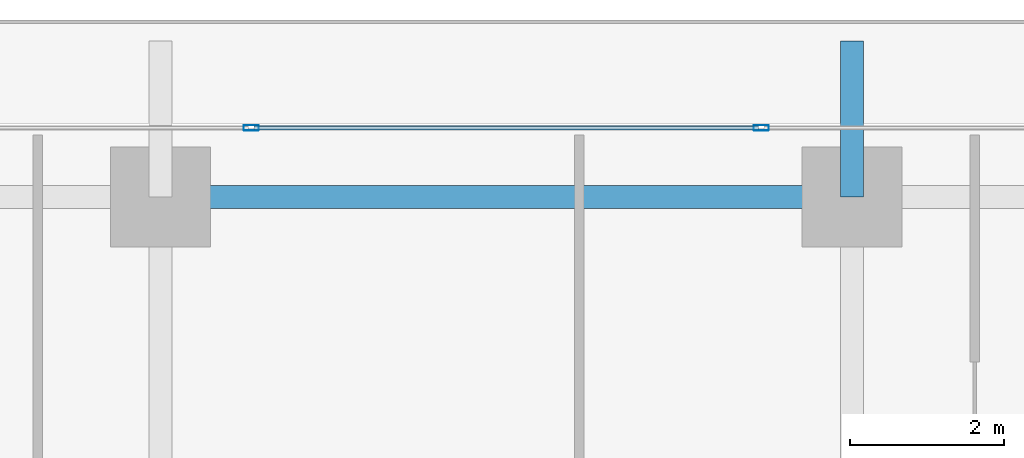
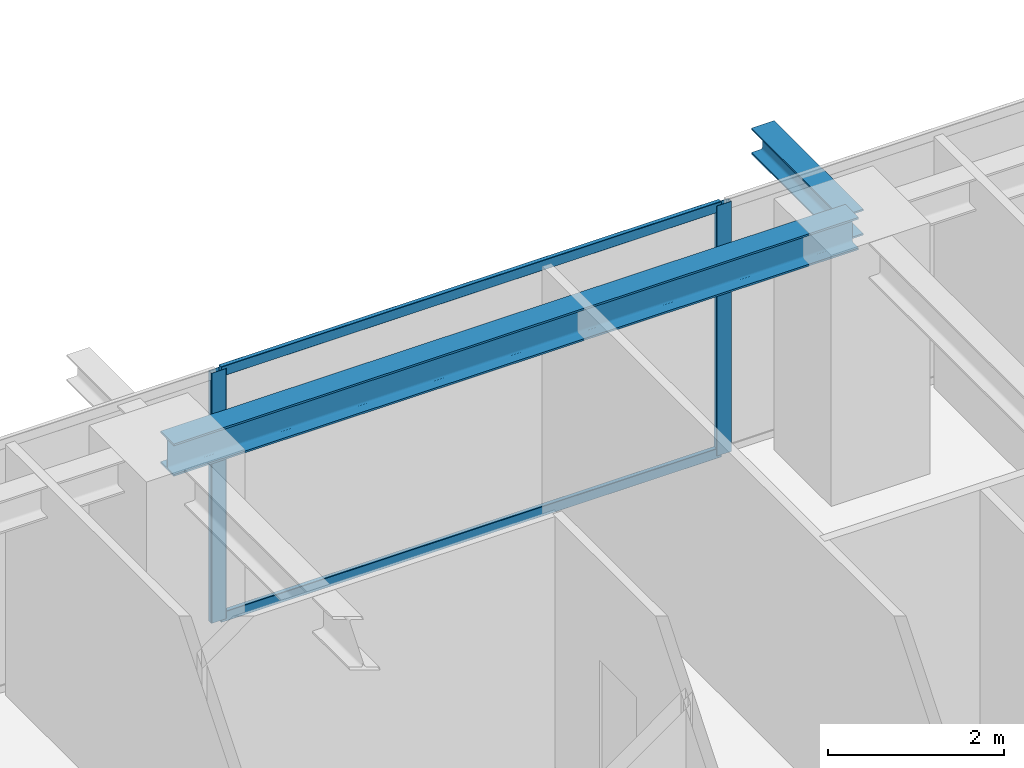
# One storey, part 19 of 34: 4 members, 2 beams, 1 element without a shape of its own.
"""IFC4 building model written with IfcOpenShell, lengths in metres."""

from ifc_helpers import new_model, si_unit, direction, frame, origin, origin_2d, place, context, subcontext, project, spatial, hollow_rectangle, i_section, extrude, source, transform, mapped, material, layer, layer_set, material_profile, profile_set, type_object, element, aggregate, save


model = new_model("IFC4")

# Units and contexts
model_context = context("Model", 3, precision=1e-05, world=origin(), true_north=direction((0.0, 1.0)))
body_context = subcontext(model_context, "Body", "Model", "MODEL_VIEW")
ifc_project = project(units=[si_unit("LENGTHUNIT", "METRE"), si_unit("AREAUNIT", "SQUARE_METRE"), si_unit("VOLUMEUNIT", "CUBIC_METRE"), si_unit("PLANEANGLEUNIT", "RADIAN"), si_unit("MASSUNIT", "GRAM", prefix="KILO")], contexts=[model_context])

# Site, building, storey
site_placement = place(None, origin())
site = spatial("IfcSite", under=ifc_project, at=site_placement, CompositionType="ELEMENT")
building_placement = place(site_placement, origin())
building = spatial("IfcBuilding", under=site, at=building_placement, Name="Serunith Strait Residences", CompositionType="ELEMENT")
storey_placement = place(building_placement, frame((0.0, 0.0, 142.64990234375)))
storey = spatial("IfcBuildingStorey", under=building, at=storey_placement, Name="L35", CompositionType="ELEMENT", Elevation=142.64990234375)

# Beams
ifc_material_1 = material(Name="Steel S355J2", Category="steel")
ifc_material_profile_1 = material_profile(ifc_material_1, i_section(OverallWidth=0.300048828125, OverallDepth=0.449951171875, WebThickness=0.013916015625, FlangeThickness=0.02587890625, FilletRadius=0.027099609375, at=origin_2d()), Name="HEB 450")
ifc_profile_set_1 = profile_set([ifc_material_profile_1], Name="Steel S355J2")
beam_type_1 = type_object("IfcBeamType", Name="BM-HEB450", PredefinedType="BEAM", material=ifc_profile_set_1)
shared_shape_1 = source(origin(), body_context, "Body", "SweptSolid", [
    extrude(i_section(OverallWidth=0.300048828125, OverallDepth=0.449951171875, WebThickness=0.013916015625, FlangeThickness=0.02587890625, FilletRadius=0.027099609375, at=origin_2d()), origin(), (0.0, 0.0, 1.0), 9.0),
])
beam_1_placement = place(storey_placement, frame((36.89990234375, 48.10009765625, 3.26220703125), z_axis=(-1.0, 0.0, 0.0), x_axis=(0.0, -1.0, 0.0)))
element("IfcBeam", 1, at=beam_1_placement, inside=storey, type_object=beam_type_1, Name="L35 Perimeter Ring Beam 10", PredefinedType="BEAM", context=body_context, shape_type="MappedRepresentation", body=[
    mapped(shared_shape_1, transform((0.0, 0.0, 0.0), scale=1.0)),
])
ifc_material_profile_2 = material_profile(ifc_material_1, i_section(OverallWidth=0.300048828125, OverallDepth=0.360107421875, WebThickness=0.012451171875, FlangeThickness=0.0224609375, FilletRadius=0.027099609375, at=origin_2d()), Name="HEB 360")
ifc_profile_set_2 = profile_set([ifc_material_profile_2], Name="Steel S355J2")
beam_type_2 = type_object("IfcBeamType", Name="BM-HEB360", PredefinedType="BEAM", material=ifc_profile_set_2)
shared_shape_2 = source(origin(), body_context, "Body", "SweptSolid", [
    extrude(i_section(OverallWidth=0.300048828125, OverallDepth=0.360107421875, WebThickness=0.012451171875, FlangeThickness=0.0224609375, FilletRadius=0.027099609375, at=origin_2d()), origin(), (0.0, 0.0, 1.0), 2.02978515625),
])
beam_2_placement = place(storey_placement, frame((36.89990234375, 48.10009765625, 3.277099609375), z_axis=(0.0, 1.0, 0.0), x_axis=(-1.0, 0.0, 0.0)))
element("IfcBeam", 2, at=beam_2_placement, inside=storey, type_object=beam_type_2, Name="L36 Cantilevered Balcony Rib TC-N3", PredefinedType="BEAM", context=body_context, shape_type="MappedRepresentation", body=[
    mapped(shared_shape_2, transform((0.0, 0.0, 0.0), scale=1.0)),
])

# Curtain wall, members
ifc_material_2 = material(Name="Pale-Champagne Anodised Aluminium", Category="aluminium")
ifc_layer = layer(ifc_material_2, 0.199951171875, Name="Pale-Champagne Anodised Aluminium")
ifc_layer_set = layer_set([ifc_layer], Name="Pale-Champagne Anodised Aluminium")
curtain_wall_type = type_object("IfcCurtainWallType", Name="CW-SYS2", PredefinedType="NOTDEFINED", material=ifc_layer_set)
curtain_wall_placement = place(storey_placement, origin())
curtain_wall = element("IfcCurtainWall", 3, at=curtain_wall_placement, inside=storey, type_object=curtain_wall_type, Name="L35 N Unitised Fritted Curtain Wall", PredefinedType="NOTDEFINED")
ifc_material_profile_3 = material_profile(ifc_material_2, hollow_rectangle(XDim=0.070068359375, YDim=0.199951171875, WallThickness=0.00390625, InnerFilletRadius=0.006103515625, OuterFilletRadius=0.010009765625, at=origin_2d()), Name="ALU 200x70x4")
ifc_profile_set_3 = profile_set([ifc_material_profile_3], Name="Pale-Champagne Anodised Aluminium")
member_type_1 = type_object("IfcMemberType", Name="CW-SYS2-MULL", PredefinedType="MULLION", material=ifc_profile_set_3)
shared_shape_3 = source(origin(), body_context, "Body", "SweptSolid", [
    extrude(hollow_rectangle(XDim=0.070068359375, YDim=0.199951171875, WallThickness=0.00390625, InnerFilletRadius=0.006103515625, OuterFilletRadius=0.010009765625, at=origin_2d()), origin(), (0.0, 0.0, 1.0), 3.47509765625),
])
member_1_placement = place(storey_placement, frame((35.719970703125, 49.0, 0.0), z_axis=(0.0, 0.0, 1.0), x_axis=(0.0, -1.0, 0.0)))
member_1 = element("IfcMember", 4, at=member_1_placement, type_object=member_type_1, Name="CW-2 mullion 3", PredefinedType="MULLION", context=body_context, shape_type="MappedRepresentation", body=[
    mapped(shared_shape_3, transform((0.0, 0.0, 0.0), scale=1.0)),
])
member_2_placement = place(storey_placement, frame((29.080078125, 49.0, 0.0), z_axis=(0.0, 0.0, 1.0), x_axis=(0.0, -1.0, 0.0)))
member_2 = element("IfcMember", 5, at=member_2_placement, type_object=member_type_1, Name="CW-2 mullion 4", PredefinedType="MULLION", context=body_context, shape_type="MappedRepresentation", body=[
    mapped(shared_shape_3, transform((0.0, 0.0, 0.0), scale=1.0)),
])
ifc_material_profile_4 = material_profile(ifc_material_2, hollow_rectangle(XDim=0.06005859375, YDim=0.139892578125, WallThickness=0.00341796875, InnerFilletRadius=0.00537109375, OuterFilletRadius=0.0087890625, at=origin_2d()), Name="ALU 140x60x3.5")
ifc_profile_set_4 = profile_set([ifc_material_profile_4], Name="Pale-Champagne Anodised Aluminium")
member_type_2 = type_object("IfcMemberType", Name="CW-SYS2-TRAN", PredefinedType="USERDEFINED", material=ifc_profile_set_4)
shared_shape_4 = source(origin(), body_context, "Body", "SweptSolid", [
    extrude(hollow_rectangle(XDim=0.06005859375, YDim=0.139892578125, WallThickness=0.00341796875, InnerFilletRadius=0.00537109375, OuterFilletRadius=0.0087890625, at=origin_2d()), origin(), (0.0, 0.0, 1.0), 6.570068359375),
])
member_3_placement = place(storey_placement, frame((35.68505859375, 49.0, 0.030029296875), z_axis=(-1.0, 0.0, 0.0), x_axis=(0.0, -1.0, 0.0)))
member_3 = element("IfcMember", 6, at=member_3_placement, type_object=member_type_2, Name="CW-2 transom 3.1", ObjectType="TRANSOM", PredefinedType="USERDEFINED", context=body_context, shape_type="MappedRepresentation", body=[
    mapped(shared_shape_4, transform((0.0, 0.0, 0.0), scale=1.0)),
])
member_4_placement = place(storey_placement, frame((35.68505859375, 49.0, 3.445068359375), z_axis=(-1.0, 0.0, 0.0), x_axis=(0.0, -1.0, 0.0)))
member_4 = element("IfcMember", 7, at=member_4_placement, type_object=member_type_2, Name="CW-2 transom 3.2", ObjectType="TRANSOM", PredefinedType="USERDEFINED", context=body_context, shape_type="MappedRepresentation", body=[
    mapped(shared_shape_4, transform((0.0, 0.0, 0.0), scale=1.0)),
])
aggregate(curtain_wall, [member_1, member_2, member_3, member_4])

save(model, "model.ifc")
